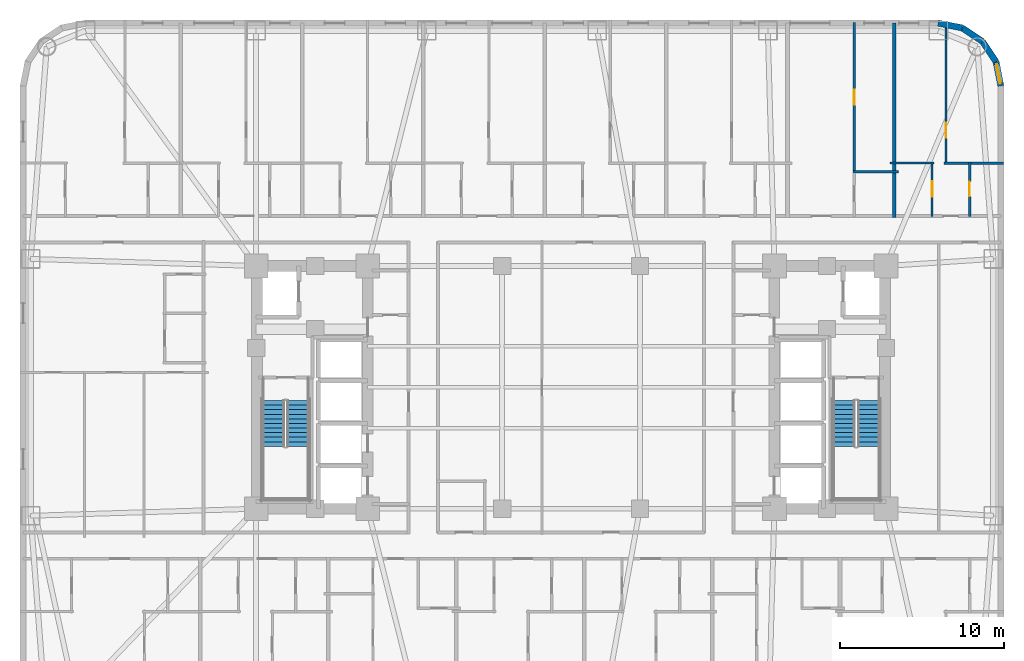
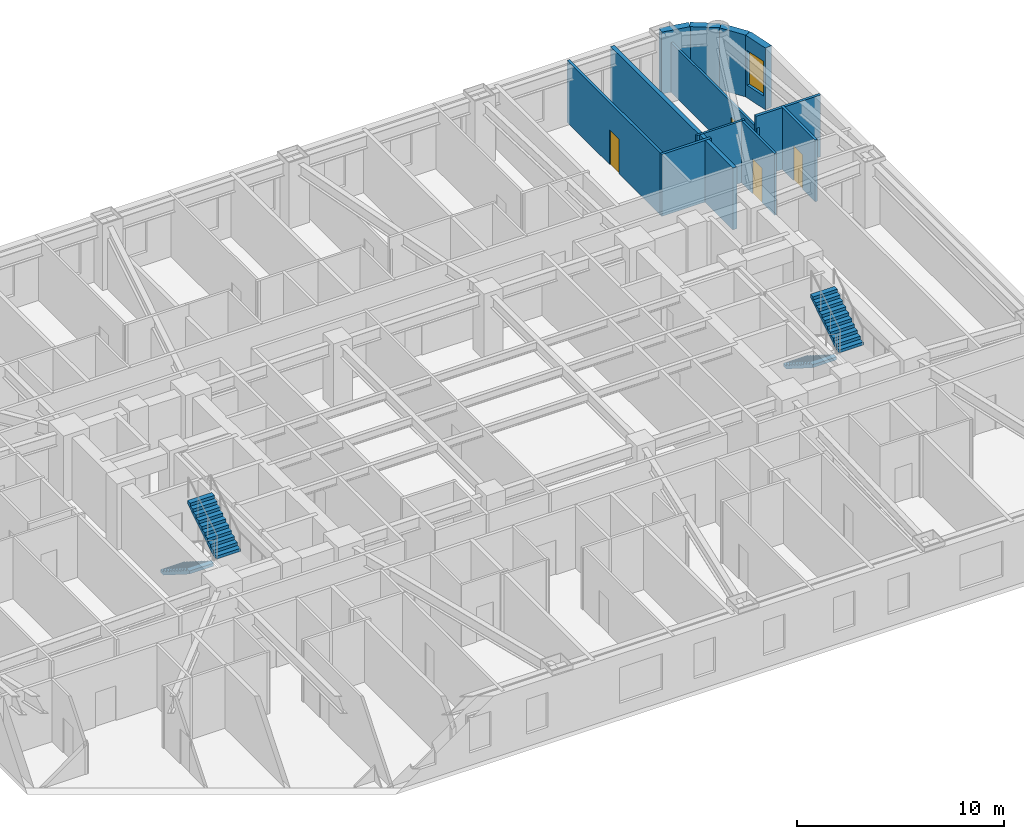
# One storey, part 9 of 11: 12 walls, 4 doors, 4 stair flights, 1 window, 5 openings, 2 elements without a shape of their own.
"""IFC4 building model written with IfcOpenShell, lengths in metres."""

import ifcopenshell
import ifcopenshell.guid

model = None  # the IFC model being written
_history = None  # IfcOwnerHistory: only IFC2X3 demands one
_inside = {}  # id of a spatial element -> (the spatial element, [elements in it])
_under = {}  # id of a project, library or spatial element -> (it, [spatial elements below it])
_declared = {}  # id of a project -> (the project, [libraries it declares])
_typed = {}  # id of a type object -> (the type object, [elements of that type])
_made_of = {}  # id of a material, layer set ... -> (it, [elements and type objects made of it])


def new_model(schema):
    """Start an empty IFC model of exactly this schema.

    Asked for "IFC4X3", IfcOpenShell would pick the latest addendum, in which some entities
    have other attributes; the version numbers below select the first issue.
    IFC2X3 requires an IfcOwnerHistory on every rooted entity: one is made here for all.
    """
    global model, _history
    if schema == "IFC4X3":
        model = ifcopenshell.file(schema_version=(4, 3, 0, 0))
    else:
        model = ifcopenshell.file(schema=schema)
    _inside.clear()
    _under.clear()
    _declared.clear()
    _typed.clear()
    _made_of.clear()
    _history = None
    if model.schema == "IFC2X3":
        org = make("IfcOrganization", Name="unknown")
        user = make(
            "IfcPersonAndOrganization",
            ThePerson=make("IfcPerson", FamilyName="unknown"),
            TheOrganization=org,
        )
        app = make(
            "IfcApplication",
            ApplicationDeveloper=org,
            Version="unknown",
            ApplicationFullName="unknown",
            ApplicationIdentifier="unknown",
        )
        _history = make(
            "IfcOwnerHistory",
            OwningUser=user,
            OwningApplication=app,
            ChangeAction="ADDED",
            CreationDate=0,
        )
    return model


def make(cls, **values):
    """One entity of the class cls with the attributes given. An attribute that is None is left unset."""
    return model.create_entity(
        cls, **{name: value for name, value in values.items() if value is not None}
    )


def rooted(cls, **values):
    """An entity with a GlobalId (a new one), such as an element, a storey or a relation."""
    return make(cls, GlobalId=ifcopenshell.guid.new(), OwnerHistory=_history, **values)


def si_unit(unit_type, name, prefix=None):
    """IfcSIUnit, for example si_unit("LENGTHUNIT", "METRE", prefix="MILLI")."""
    return make("IfcSIUnit", UnitType=unit_type, Prefix=prefix, Name=name)


def assignment(units):
    """IfcUnitAssignment: the units of a project."""
    return None if units is None else make("IfcUnitAssignment", Units=units)


def point(xyz):
    """IfcCartesianPoint."""
    return None if xyz is None else make("IfcCartesianPoint", Coordinates=xyz)


def direction(xyz):
    """IfcDirection."""
    return None if xyz is None else make("IfcDirection", DirectionRatios=xyz)


def frame(location, z_axis=None, x_axis=None):
    """IfcAxis2Placement3D, a coordinate frame: its origin and axes. An axis left out is left unset."""
    return make(
        "IfcAxis2Placement3D",
        Location=point(location),
        Axis=direction(z_axis),
        RefDirection=direction(x_axis),
    )


def frame_2d(location, x_axis=None):
    """IfcAxis2Placement2D, a coordinate frame in the plane: its origin and x axis."""
    return make(
        "IfcAxis2Placement2D", Location=point(location), RefDirection=direction(x_axis)
    )


def origin():
    """The frame at (0, 0, 0) with its axes left unset."""
    return frame((0.0, 0.0, 0.0))


def place(relative_to, where):
    """IfcLocalPlacement: puts the frame where relative to a parent placement (None: the world)."""
    return make(
        "IfcLocalPlacement", PlacementRelTo=relative_to, RelativePlacement=where
    )


def context(
    kind, dimensions, precision=None, world=None, true_north=None, identifier=None
):
    """IfcGeometricRepresentationContext, for example the 3D "Model" context."""
    return make(
        "IfcGeometricRepresentationContext",
        ContextIdentifier=identifier,
        ContextType=kind,
        CoordinateSpaceDimension=dimensions,
        Precision=precision,
        WorldCoordinateSystem=world,
        TrueNorth=true_north,
    )


def subcontext(parent, identifier, kind, view, scale=None):
    """IfcGeometricRepresentationSubContext, for example "Body" below "Model"."""
    return make(
        "IfcGeometricRepresentationSubContext",
        ContextIdentifier=identifier,
        ContextType=kind,
        ParentContext=parent,
        TargetScale=scale,
        TargetView=view,
    )


def project(units=None, contexts=None):
    """IfcProject with its units and contexts."""
    return rooted(
        "IfcProject",
        Name="project",
        RepresentationContexts=contexts,
        UnitsInContext=assignment(units),
    )


def spatial(cls, under=None, at=None, **own):
    """A site, building, storey or space (cls), placed at a placement, below another one or the project."""
    s = rooted(cls, ObjectPlacement=at, **own)
    if under is not None:
        _under.setdefault(under.id(), (under, []))[1].append(s)
    return s


def polyline(points):
    """IfcPolyline through the points."""
    return make("IfcPolyline", Points=[point(p) for p in points])


def profile(cls, at=None, kind="AREA", **sizes):
    """A parametric profile (cls). Its sizes go by their IFC names, for example OverallWidth=200.0."""
    return make(cls, ProfileType=kind, Position=at, **sizes)


def rectangle(**sizes):
    """IfcRectangleProfileDef."""
    return profile("IfcRectangleProfileDef", **sizes)


def outline(outer, holes=None, kind="AREA"):
    """IfcArbitraryClosedProfileDef: a profile drawn as a closed curve; with holes, ...WithVoids."""
    if holes is None:
        return make("IfcArbitraryClosedProfileDef", ProfileType=kind, OuterCurve=outer)
    return make(
        "IfcArbitraryProfileDefWithVoids",
        ProfileType=kind,
        OuterCurve=outer,
        InnerCurves=holes,
    )


def extrude(swept, where, along, depth):
    """IfcExtrudedAreaSolid: the profile swept, set in the frame where, extruded along a direction by depth."""
    return make(
        "IfcExtrudedAreaSolid",
        SweptArea=swept,
        Position=where,
        ExtrudedDirection=direction(along),
        Depth=depth,
    )


def shape(context_of_items, identifier, shape_type, items):
    """IfcShapeRepresentation: the items that make up one representation, for example the "Body"."""
    return make(
        "IfcShapeRepresentation",
        ContextOfItems=context_of_items,
        RepresentationIdentifier=identifier,
        RepresentationType=shape_type,
        Items=items,
    )


def material(Name=None, Category=None):
    """IfcMaterial."""
    return make("IfcMaterial", Name=Name, Category=Category)


def layer(
    of_material, thickness, ventilated=None, Name=None, Category=None, Priority=None
):
    """IfcMaterialLayer: one layer of a wall or slab, of a material (None: an air gap)."""
    return make(
        "IfcMaterialLayer",
        Material=of_material,
        LayerThickness=thickness,
        IsVentilated=ventilated,
        Name=Name,
        Category=Category,
        Priority=Priority,
    )


def layer_set(layers, Name=None):
    """IfcMaterialLayerSet."""
    return make("IfcMaterialLayerSet", MaterialLayers=layers, LayerSetName=Name)


def made_of(thing, what):
    """Note that an element or type object is made of a material, layer set ...; save() writes the relation."""
    if what is not None:
        _made_of.setdefault(what.id(), (what, []))[1].append(thing)
    return thing


def type_object(cls, material=None, **own):
    """A type object (cls), such as IfcWallType, which elements share."""
    return made_of(rooted(cls, **own), material)


def element(
    cls,
    number,
    at=None,
    inside=None,
    cuts=None,
    type_object=None,
    material=None,
    context=None,
    identifier="Body",
    shape_type=None,
    held_by="IfcProductDefinitionShape",
    body=None,
    shapes=None,
    **own,
):
    """One element of the class cls, such as IfcWall. Its Tag is "e" and its number.

    at: its placement. inside: the storey or other place that contains it. cuts: it is an
    opening in that element (IfcRelVoidsElement). A single representation is given by context,
    identifier, shape_type and body (its items); several are given by shapes. held_by: the class
    of the entity that holds the representations. save() writes the other relations.
    """
    e = rooted(cls, Tag="e%d" % number, ObjectPlacement=at, **own)
    if body is not None:
        shapes = [shape(context, identifier, shape_type, body)]
    if shapes is not None:
        e.Representation = make(held_by, Representations=shapes)
    if inside is not None:
        _inside.setdefault(inside.id(), (inside, []))[1].append(e)
    if cuts is not None:
        rooted(
            "IfcRelVoidsElement", RelatingBuildingElement=cuts, RelatedOpeningElement=e
        )
    if type_object is not None:
        _typed.setdefault(type_object.id(), (type_object, []))[1].append(e)
    return made_of(e, material)


def fill(opening, filler):
    """IfcRelFillsElement: the door or window that sits in an opening."""
    return rooted(
        "IfcRelFillsElement",
        RelatingOpeningElement=opening,
        RelatedBuildingElement=filler,
    )


def aggregate(whole, parts):
    """IfcRelAggregates: a whole, such as a stair, and the parts it consists of."""
    return rooted("IfcRelAggregates", RelatingObject=whole, RelatedObjects=parts)


def save(model, path):
    """Write the relations noted so far, then the file.

    IfcRelAggregates (storeys below a building ...), IfcRelContainedInSpatialStructure (elements
    in a storey), IfcRelDefinesByType, IfcRelAssociatesMaterial and IfcRelDeclares: one each for
    every whole, place, type object, material and project.
    """
    for whole, parts in _under.values():
        aggregate(whole, parts)
    for where, things in _inside.values():
        rooted(
            "IfcRelContainedInSpatialStructure",
            RelatedElements=things,
            RelatingStructure=where,
        )
    for kind, things in _typed.values():
        rooted("IfcRelDefinesByType", RelatedObjects=things, RelatingType=kind)
    for what, things in _made_of.values():
        rooted("IfcRelAssociatesMaterial", RelatedObjects=things, RelatingMaterial=what)
    for by, libraries in _declared.values():
        rooted("IfcRelDeclares", RelatingContext=by, RelatedDefinitions=libraries)
    model.write(path)


model = new_model("IFC4")

# Units and contexts
model_context = context("Model", 3, precision=1e-05, world=origin(), true_north=direction((0.0, 1.0)))
body_context = subcontext(model_context, "Body", "Model", "MODEL_VIEW")
ifc_project = project(units=[si_unit("LENGTHUNIT", "METRE"), si_unit("AREAUNIT", "SQUARE_METRE"), si_unit("VOLUMEUNIT", "CUBIC_METRE"), si_unit("PLANEANGLEUNIT", "RADIAN"), si_unit("MASSUNIT", "GRAM", prefix="KILO")], contexts=[model_context])

# Site, building, storey
site_placement = place(None, origin())
site = spatial("IfcSite", under=ifc_project, at=site_placement, CompositionType="ELEMENT")
building_placement = place(site_placement, origin())
building = spatial("IfcBuilding", under=site, at=building_placement, Name="Voryun Gate Residences", CompositionType="ELEMENT")
storey_placement = place(building_placement, frame((0.0, 0.0, 57.199951171875)))
storey = spatial("IfcBuildingStorey", under=building, at=storey_placement, Name="L13", CompositionType="ELEMENT", Elevation=57.199951171875)

# Walls
ifc_material_1 = material(Name="Granite masonry", Category="masonry")
ifc_layer_1 = layer(ifc_material_1, 0.3798828125, Name="W_EXT_GRANITE_380")
ifc_layer_set_1 = layer_set([ifc_layer_1], Name="Granite masonry")
wall_type_1 = type_object("IfcWallType", Name="W_EXT_GRANITE_380", PredefinedType="ELEMENTEDWALL", material=ifc_layer_set_1)
wall_1_placement = place(storey_placement, frame((22.38134765625, 22.2099609375, 0.0), z_axis=(0.0, 0.0, 1.0), x_axis=(0.980786132421, -0.195086038585, 0.0)))
element("IfcWall", 1, at=wall_1_placement, inside=storey, type_object=wall_type_1, Name="Exterior wall WEXT-L13-12", PredefinedType="ELEMENTEDWALL", context=body_context, shape_type="SweptSolid", body=[
    extrude(rectangle(XDim=1.504150390625, YDim=0.3798828125, at=frame_2d((0.751953125, 0.0))), origin(), (0.0, 0.0, 1.0), 3.650146484375),
])
for number, where, z_axis, x_axis, name in (
    (2, (23.856689453125, 21.91650390625, 0.0), (0.0, 0.0, 1.0), (0.831392092774, -0.555686231674, 0.0), "Exterior wall WEXT-L13-13"),
    (3, (25.09130859375, 21.09130859375, 0.0), (0.0, 0.0, 1.0), (0.555686231674, -0.831392092774, 0.0), "Exterior wall WEXT-L13-14"),
):
    element("IfcWall", number, at=place(storey_placement, frame(where, z_axis=z_axis, x_axis=x_axis)), inside=storey, type_object=wall_type_1, Name=name, PredefinedType="ELEMENTEDWALL", context=body_context, shape_type="SweptSolid", body=[
        extrude(rectangle(XDim=1.485107421875, YDim=0.3798828125, at=frame_2d((0.74267578125, 0.0))), origin(), (0.0, 0.0, 1.0), 3.650146484375),
    ])

# Wall, opening, window
wall_2_placement = place(storey_placement, frame((25.91650390625, 19.856689453125, 0.0), z_axis=(0.0, 0.0, 1.0), x_axis=(0.195086038585, -0.980786132421, 0.0)))
wall_2 = element("IfcWall", 4, at=wall_2_placement, inside=storey, type_object=wall_type_1, Name="Exterior wall WEXT-L13-15", PredefinedType="ELEMENTEDWALL", context=body_context, shape_type="SweptSolid", body=[
    extrude(rectangle(XDim=1.504150390625, YDim=0.3798828125, at=frame_2d((0.751953125, 0.0))), origin(), (0.0, 0.0, 1.0), 3.650146484375),
])
opening_1_placement = place(wall_2_placement, frame((0.152099609375, 0.0, 0.75)))
opening_1 = element("IfcOpeningElement", 5, at=opening_1_placement, cuts=wall_2, Name="Opening WN6", PredefinedType="OPENING", context=body_context, shape_type="SweptSolid", body=[
    extrude(rectangle(XDim=1.199951171875, YDim=2.050048828125, at=frame_2d((0.60009765625, 1.02490234375))), frame((0.0, 0.199951171875, 0.0), z_axis=(0.0, -1.0, 0.0), x_axis=(1.0, 0.0, 0.0)), (0.0, 0.0, 1.0), 0.39990234375),
])
ifc_material_2 = material(Name="Laminated low-E glass", Category="glass")
window_type = type_object("IfcWindowType", Name="WN_POD_SLOT_1200", PartitioningType="SINGLE_PANEL", PredefinedType="WINDOW", material=ifc_material_2)
window_placement = place(opening_1_placement, origin())
window = element("IfcWindow", 6, at=window_placement, inside=storey, type_object=window_type, Name="Window WN-L13-DWFIX-13", OverallHeight=2.050048828125, OverallWidth=1.199951171875, PartitioningType="SINGLE_PANEL", PredefinedType="WINDOW", context=body_context, shape_type="SweptSolid", body=[
    extrude(rectangle(XDim=1.199951171875, YDim=2.050048828125, at=frame_2d((0.60009765625, 1.02490234375))), frame((0.0, 0.030029296875, 0.0), z_axis=(0.0, -1.0, 0.0), x_axis=(1.0, 0.0, 0.0)), (0.0, 0.0, 1.0), 0.06005859375),
])
fill(opening_1, window)

# Wall
ifc_material_3 = material(Name="Concrete C40/50", Category="concrete")
ifc_layer_2 = layer(ifc_material_3, 0.219970703125, Name="W_PARTY_ACOUSTIC_220")
ifc_layer_set_2 = layer_set([ifc_layer_2], Name="Concrete C40/50")
wall_type_2 = type_object("IfcWallType", Name="W_PARTY_ACOUSTIC_220", PredefinedType="PARTITIONING", material=ifc_layer_set_2)
wall_3_placement = place(storey_placement, frame((19.708984375, 10.3701171875, 0.0), z_axis=(0.0, 0.0, 1.0), x_axis=(0.0, 1.0, 0.0)))
element("IfcWall", 7, at=wall_3_placement, inside=storey, type_object=wall_type_2, Name="Partition wall WP-L13-NPTY-7", PredefinedType="PARTITIONING", context=body_context, shape_type="SweptSolid", body=[
    extrude(rectangle(XDim=11.83984375, YDim=0.219970703125, at=frame_2d((5.919921875, 0.0))), origin(), (0.0, 0.0, 1.0), 3.650146484375),
])

# Wall, opening, door
ifc_material_4 = material(Name="Gypsum acoustic partition")
ifc_layer_3 = layer(ifc_material_4, 0.125, Name="W_UNIT_PART_125")
ifc_layer_set_3 = layer_set([ifc_layer_3], Name="Gypsum acoustic partition")
wall_type_3 = type_object("IfcWallType", Name="W_UNIT_PART_125", PredefinedType="PARTITIONING", material=ifc_layer_set_3)
wall_4_placement = place(storey_placement, frame((22.867919921875, 13.590087890625, 0.0), z_axis=(0.0, 0.0, 1.0), x_axis=(0.0, 1.0, 0.0)))
wall_4 = element("IfcWall", 8, at=wall_4_placement, inside=storey, type_object=wall_type_3, Name="Partition wall WP-L13-N8-OVR", PredefinedType="PARTITIONING", context=body_context, shape_type="SweptSolid", body=[
    extrude(rectangle(XDim=8.676025390625, YDim=0.125, at=frame_2d((4.337890625, 0.0))), origin(), (0.0, 0.0, 1.0), 2.93994140625),
])
opening_2_placement = place(wall_4_placement, frame((1.63232421875, 0.0, 0.0)))
opening_2 = element("IfcOpeningElement", 9, at=opening_2_placement, cuts=wall_4, Name="Opening D-INT-2", PredefinedType="OPENING", context=body_context, shape_type="SweptSolid", body=[
    extrude(rectangle(XDim=0.89990234375, YDim=2.050048828125, at=frame_2d((0.449951171875, 1.02490234375))), frame((0.0, 0.072509765625, 0.0), z_axis=(0.0, -1.0, 0.0), x_axis=(1.0, 0.0, 0.0)), (0.0, 0.0, 1.0), 0.14501953125),
])
ifc_material_5 = material(Name="Architectural oak veneer")
door_type_1 = type_object("IfcDoorType", Name="DR_INT_BATH_900", OperationType="NOTDEFINED", PredefinedType="DOOR", material=ifc_material_5)
door_1_placement = place(opening_2_placement, origin())
door_1 = element("IfcDoor", 10, at=door_1_placement, inside=storey, type_object=door_type_1, Name="Door DR-L13-N8-DMB", OperationType="SINGLE_SWING_RIGHT", OverallHeight=2.050048828125, OverallWidth=0.89990234375, PredefinedType="DOOR", context=body_context, shape_type="SweptSolid", body=[
    extrude(rectangle(XDim=0.89990234375, YDim=2.050048828125, at=frame_2d((0.449951171875, 1.02490234375))), frame((0.0, 0.02490234375, 0.0), z_axis=(0.0, -1.0, 0.0), x_axis=(1.0, 0.0, 0.0)), (0.0, 0.0, 1.0), 0.050048828125),
])
fill(opening_2, door_1)

wall_5_placement = place(storey_placement, frame((22.01904296875, 10.429931640625, 0.0), z_axis=(0.0, 0.0, 1.0), x_axis=(0.0, 1.0, 0.0)))
wall_5 = element("IfcWall", 11, at=wall_5_placement, inside=storey, type_object=wall_type_3, Name="Partition wall WP-L13-N8-IVK", PredefinedType="PARTITIONING", context=body_context, shape_type="SweptSolid", body=[
    extrude(rectangle(XDim=3.320068359375, YDim=0.125, at=frame_2d((1.66015625, 0.0))), origin(), (0.0, 0.0, 1.0), 3.650146484375),
])
opening_3_placement = place(wall_5_placement, frame((1.18505859375, 0.0, 0.0)))
opening_3 = element("IfcOpeningElement", 12, at=opening_3_placement, cuts=wall_5, Name="Opening D-INT-1", PredefinedType="OPENING", context=body_context, shape_type="SweptSolid", body=[
    extrude(rectangle(XDim=0.949951171875, YDim=2.050048828125, at=frame_2d((0.47509765625, 1.02490234375))), frame((0.0, 0.072509765625, 0.0), z_axis=(0.0, -1.0, 0.0), x_axis=(1.0, 0.0, 0.0)), (0.0, 0.0, 1.0), 0.14501953125),
])
ifc_material_6 = material(Name="Architectural oak veneer")
door_type_2 = type_object("IfcDoorType", Name="DR_INT_ROOM_950", OperationType="NOTDEFINED", PredefinedType="DOOR", material=ifc_material_6)
door_2_placement = place(opening_3_placement, origin())
door_2 = element("IfcDoor", 13, at=door_2_placement, inside=storey, type_object=door_type_2, Name="Door DR-L13-N8-DK", OperationType="SINGLE_SWING_LEFT", OverallHeight=2.050048828125, OverallWidth=0.949951171875, PredefinedType="DOOR", context=body_context, shape_type="SweptSolid", body=[
    extrude(rectangle(XDim=0.949951171875, YDim=2.050048828125, at=frame_2d((0.47509765625, 1.02490234375))), frame((0.0, 0.02490234375, 0.0), z_axis=(0.0, -1.0, 0.0), x_axis=(1.0, 0.0, 0.0)), (0.0, 0.0, 1.0), 0.050048828125),
])
fill(opening_3, door_2)

# Walls
wall_6_placement = place(storey_placement, frame((19.448974609375, 13.669921875, 0.0), z_axis=(0.0, 0.0, 1.0), x_axis=(1.0, 0.0, 0.0)))
element("IfcWall", 14, at=wall_6_placement, inside=storey, type_object=wall_type_3, Name="Partition wall WP-L13-N8-HZK", PredefinedType="PARTITIONING", context=body_context, shape_type="SweptSolid", body=[
    extrude(rectangle(XDim=2.68994140625, YDim=0.125, at=frame_2d((1.344970703125, 0.0))), origin(), (0.0, 0.0, 1.0), 3.650146484375),
])
ifc_material_7 = material(Name="Gypsum moisture-resistant partition")
ifc_layer_4 = layer(ifc_material_7, 0.14990234375, Name="W_WET_PLUMB_150")
ifc_layer_set_4 = layer_set([ifc_layer_4], Name="Gypsum moisture-resistant partition")
wall_type_4 = type_object("IfcWallType", Name="W_WET_PLUMB_150", PredefinedType="PLUMBINGWALL", material=ifc_layer_set_4)
wall_7_placement = place(storey_placement, frame((17.18603515625, 13.14990234375, 0.0), z_axis=(0.0, 0.0, 1.0), x_axis=(1.0, 0.0, 0.0)))
element("IfcWall", 15, at=wall_7_placement, inside=storey, type_object=wall_type_4, Name="Partition wall WP-L13-N7-SKB", PredefinedType="PLUMBINGWALL", context=body_context, shape_type="SweptSolid", body=[
    extrude(rectangle(XDim=2.782958984375, YDim=0.14990234375, at=frame_2d((1.3916015625, 0.0))), origin(), (0.0, 0.0, 1.0), 3.650146484375),
])

# Wall, opening, door
wall_8_placement = place(storey_placement, frame((17.26611328125, 13.110107421875, 0.0), z_axis=(0.0, 0.0, 1.0), x_axis=(0.0, 1.0, 0.0)))
wall_8 = element("IfcWall", 16, at=wall_8_placement, inside=storey, type_object=wall_type_4, Name="Partition wall WP-L13-N7-SVT2", PredefinedType="PLUMBINGWALL", context=body_context, shape_type="SweptSolid", body=[
    extrude(rectangle(XDim=9.1474609375, YDim=0.14990234375, at=frame_2d((4.57373046875, 0.0))), origin(), (0.0, 0.0, 1.0), 3.650146484375),
])
opening_4_placement = place(wall_8_placement, frame((4.123779296875, 0.0, 0.0)))
opening_4 = element("IfcOpeningElement", 17, at=opening_4_placement, cuts=wall_8, Name="Opening D-INT-2", PredefinedType="OPENING", context=body_context, shape_type="SweptSolid", body=[
    extrude(rectangle(XDim=0.89990234375, YDim=2.050048828125, at=frame_2d((0.449951171875, 1.02490234375))), frame((0.0, 0.0849609375, 0.0), z_axis=(0.0, -1.0, 0.0), x_axis=(1.0, 0.0, 0.0)), (0.0, 0.0, 1.0), 0.169921875),
])
door_3_placement = place(opening_4_placement, origin())
door_3 = element("IfcDoor", 18, at=door_3_placement, inside=storey, type_object=door_type_1, Name="Door DR-L13-N7-DK", OperationType="SINGLE_SWING_RIGHT", OverallHeight=2.050048828125, OverallWidth=0.89990234375, PredefinedType="DOOR", context=body_context, shape_type="SweptSolid", body=[
    extrude(rectangle(XDim=0.89990234375, YDim=2.050048828125, at=frame_2d((0.449951171875, 1.02490234375))), frame((0.0, 0.02490234375, 0.0), z_axis=(0.0, -1.0, 0.0), x_axis=(1.0, 0.0, 0.0)), (0.0, 0.0, 1.0), 0.050048828125),
])
fill(opening_4, door_3)

# Wall
wall_9_placement = place(storey_placement, frame((22.748046875, 13.669921875, 0.0), z_axis=(0.0, 0.0, 1.0), x_axis=(1.0, 0.0, 0.0)))
element("IfcWall", 19, at=wall_9_placement, inside=storey, type_object=wall_type_4, Name="Partition wall WP-L13-N8-HZB", PredefinedType="PLUMBINGWALL", context=body_context, shape_type="SweptSolid", body=[
    extrude(rectangle(XDim=3.612060546875, YDim=0.14990234375, at=frame_2d((1.80615234375, 0.0))), origin(), (0.0, 0.0, 1.0), 3.650146484375),
])

# Wall, opening, door
wall_10_placement = place(storey_placement, frame((24.298095703125, 10.429931640625, 0.0), z_axis=(0.0, 0.0, 1.0), x_axis=(0.0, 1.0, 0.0)))
wall_10 = element("IfcWall", 20, at=wall_10_placement, inside=storey, type_object=wall_type_4, Name="Partition wall WP-L13-N8-IVB", PredefinedType="PLUMBINGWALL", context=body_context, shape_type="SweptSolid", body=[
    extrude(rectangle(XDim=3.320068359375, YDim=0.14990234375, at=frame_2d((1.66015625, 0.0))), origin(), (0.0, 0.0, 1.0), 3.650146484375),
])
opening_5_placement = place(wall_10_placement, frame((1.2099609375, 0.0, 0.0)))
opening_5 = element("IfcOpeningElement", 21, at=opening_5_placement, cuts=wall_10, Name="Opening D-INT-2", PredefinedType="OPENING", context=body_context, shape_type="SweptSolid", body=[
    extrude(rectangle(XDim=0.89990234375, YDim=2.050048828125, at=frame_2d((0.449951171875, 1.02490234375))), frame((0.0, 0.0849609375, 0.0), z_axis=(0.0, -1.0, 0.0), x_axis=(1.0, 0.0, 0.0)), (0.0, 0.0, 1.0), 0.169921875),
])
door_4_placement = place(opening_5_placement, origin())
door_4 = element("IfcDoor", 22, at=door_4_placement, inside=storey, type_object=door_type_1, Name="Door DR-L13-N8-DB", OperationType="SINGLE_SWING_RIGHT", OverallHeight=2.050048828125, OverallWidth=0.89990234375, PredefinedType="DOOR", context=body_context, shape_type="SweptSolid", body=[
    extrude(rectangle(XDim=0.89990234375, YDim=2.050048828125, at=frame_2d((0.449951171875, 1.02490234375))), frame((0.0, 0.02490234375, 0.0), z_axis=(0.0, -1.0, 0.0), x_axis=(1.0, 0.0, 0.0)), (0.0, 0.0, 1.0), 0.050048828125),
])
fill(opening_5, door_4)

# Stair, stair flights
ifc_material_8 = material(Name="Concrete C40/50", Category="concrete")
stair_type = type_object("IfcStairType", Name="STR_CORE_DOGLEG_1350", PredefinedType="HALF_TURN_STAIR", material=ifc_material_8)
stair_1_placement = place(storey_placement, origin())
stair_1 = element("IfcStair", 23, at=stair_1_placement, inside=storey, type_object=stair_type, Name="L13 Special Escape Stair ST-W1", PredefinedType="HALF_TURN_STAIR")
ifc_material_9 = material(Name="Concrete C40/50", Category="concrete")
stair_flight_type = type_object("IfcStairFlightType", Name="FLT_CORE_1350", PredefinedType="STRAIGHT", material=ifc_material_9)
stair_flight_1_placement = place(storey_placement, frame((-18.14990234375, -0.800048828125, 0.0), z_axis=(0.0, 0.0, 1.0), x_axis=(0.0, -1.0, 0.0)))
stair_flight_1 = element("IfcStairFlight", 24, at=stair_flight_1_placement, type_object=stair_flight_type, Name="ST-W1 flight 1", NumberOfRisers=11, NumberOfTreads=10, PredefinedType="STRAIGHT", RiserHeight=0.177272727, TreadLength=0.28, context=body_context, shape_type="SweptSolid", body=[
    extrude(outline(polyline([(0.0, 0.0), (0.0, 0.17724609375), (0.280029296875, 0.17724609375), (0.280029296875, 0.3544921875), (0.56005859375, 0.3544921875), (0.56005859375, 0.53173828125), (0.840087890625, 0.53173828125), (0.840087890625, 0.708984375), (1.1201171875, 0.708984375), (1.1201171875, 0.886474609375), (1.39990234375, 0.886474609375), (1.39990234375, 1.063720703125), (1.679931640625, 1.063720703125), (1.679931640625, 1.240966796875), (1.9599609375, 1.240966796875), (1.9599609375, 1.418212890625), (2.239990234375, 1.418212890625), (2.239990234375, 1.595458984375), (2.52001953125, 1.595458984375), (2.52001953125, 1.772705078125), (2.800048828125, 1.772705078125), (2.800048828125, 1.949951171875), (2.800048828125, 1.59521484375), (0.2802734375, 0.0), (0.0, 0.0)])), frame((0.0, 0.675048828125, 0.0), z_axis=(0.0, -1.0, 0.0), x_axis=(1.0, 0.0, 0.0)), (0.0, 0.0, 1.0), 1.35009765625),
])
stair_flight_2_placement = place(storey_placement, frame((-16.64990234375, -3.60009765625, 1.949951171875), z_axis=(0.0, 0.0, 1.0), x_axis=(0.0, 1.0, 0.0)))
stair_flight_2 = element("IfcStairFlight", 25, at=stair_flight_2_placement, type_object=stair_flight_type, Name="ST-W1 flight 2", NumberOfRisers=11, NumberOfTreads=10, PredefinedType="STRAIGHT", RiserHeight=0.177272727, TreadLength=0.28, context=body_context, shape_type="SweptSolid", body=[
    extrude(outline(polyline([(0.0, 0.0), (0.0, 0.17724609375), (0.280029296875, 0.17724609375), (0.280029296875, 0.3544921875), (0.56005859375, 0.3544921875), (0.56005859375, 0.53173828125), (0.840087890625, 0.53173828125), (0.840087890625, 0.708984375), (1.1201171875, 0.708984375), (1.1201171875, 0.886474609375), (1.39990234375, 0.886474609375), (1.39990234375, 1.063720703125), (1.679931640625, 1.063720703125), (1.679931640625, 1.240966796875), (1.9599609375, 1.240966796875), (1.9599609375, 1.418212890625), (2.239990234375, 1.418212890625), (2.239990234375, 1.595458984375), (2.52001953125, 1.595458984375), (2.52001953125, 1.772705078125), (2.800048828125, 1.772705078125), (2.800048828125, 1.949951171875), (2.800048828125, 1.59521484375), (0.2802734375, 0.0), (0.0, 0.0)])), frame((0.0, 0.675048828125, 0.0), z_axis=(0.0, -1.0, 0.0), x_axis=(1.0, 0.0, 0.0)), (0.0, 0.0, 1.0), 1.35009765625),
])
aggregate(stair_1, [stair_flight_1, stair_flight_2])

stair_2_placement = place(storey_placement, origin())
stair_2 = element("IfcStair", 26, at=stair_2_placement, inside=storey, type_object=stair_type, Name="L13 Special Escape Stair ST-E1", PredefinedType="HALF_TURN_STAIR")
stair_flight_3_placement = place(storey_placement, frame((16.64990234375, -0.800048828125, 0.0), z_axis=(0.0, 0.0, 1.0), x_axis=(0.0, -1.0, 0.0)))
stair_flight_3 = element("IfcStairFlight", 27, at=stair_flight_3_placement, type_object=stair_flight_type, Name="ST-E1 flight 1", NumberOfRisers=11, NumberOfTreads=10, PredefinedType="STRAIGHT", RiserHeight=0.177272727, TreadLength=0.28, context=body_context, shape_type="SweptSolid", body=[
    extrude(outline(polyline([(0.0, 0.0), (0.0, 0.17724609375), (0.280029296875, 0.17724609375), (0.280029296875, 0.3544921875), (0.56005859375, 0.3544921875), (0.56005859375, 0.53173828125), (0.840087890625, 0.53173828125), (0.840087890625, 0.708984375), (1.1201171875, 0.708984375), (1.1201171875, 0.886474609375), (1.39990234375, 0.886474609375), (1.39990234375, 1.063720703125), (1.679931640625, 1.063720703125), (1.679931640625, 1.240966796875), (1.9599609375, 1.240966796875), (1.9599609375, 1.418212890625), (2.239990234375, 1.418212890625), (2.239990234375, 1.595458984375), (2.52001953125, 1.595458984375), (2.52001953125, 1.772705078125), (2.800048828125, 1.772705078125), (2.800048828125, 1.949951171875), (2.800048828125, 1.59521484375), (0.2802734375, 0.0), (0.0, 0.0)])), frame((0.0, 0.675048828125, 0.0), z_axis=(0.0, -1.0, 0.0), x_axis=(1.0, 0.0, 0.0)), (0.0, 0.0, 1.0), 1.35009765625),
])
stair_flight_4_placement = place(storey_placement, frame((18.14990234375, -3.60009765625, 1.949951171875), z_axis=(0.0, 0.0, 1.0), x_axis=(0.0, 1.0, 0.0)))
stair_flight_4 = element("IfcStairFlight", 28, at=stair_flight_4_placement, type_object=stair_flight_type, Name="ST-E1 flight 2", NumberOfRisers=11, NumberOfTreads=10, PredefinedType="STRAIGHT", RiserHeight=0.177272727, TreadLength=0.28, context=body_context, shape_type="SweptSolid", body=[
    extrude(outline(polyline([(0.0, 0.0), (0.0, 0.17724609375), (0.280029296875, 0.17724609375), (0.280029296875, 0.3544921875), (0.56005859375, 0.3544921875), (0.56005859375, 0.53173828125), (0.840087890625, 0.53173828125), (0.840087890625, 0.708984375), (1.1201171875, 0.708984375), (1.1201171875, 0.886474609375), (1.39990234375, 0.886474609375), (1.39990234375, 1.063720703125), (1.679931640625, 1.063720703125), (1.679931640625, 1.240966796875), (1.9599609375, 1.240966796875), (1.9599609375, 1.418212890625), (2.239990234375, 1.418212890625), (2.239990234375, 1.595458984375), (2.52001953125, 1.595458984375), (2.52001953125, 1.772705078125), (2.800048828125, 1.772705078125), (2.800048828125, 1.949951171875), (2.800048828125, 1.59521484375), (0.2802734375, 0.0), (0.0, 0.0)])), frame((0.0, 0.675048828125, 0.0), z_axis=(0.0, -1.0, 0.0), x_axis=(1.0, 0.0, 0.0)), (0.0, 0.0, 1.0), 1.35009765625),
])
aggregate(stair_2, [stair_flight_3, stair_flight_4])

save(model, "model.ifc")
